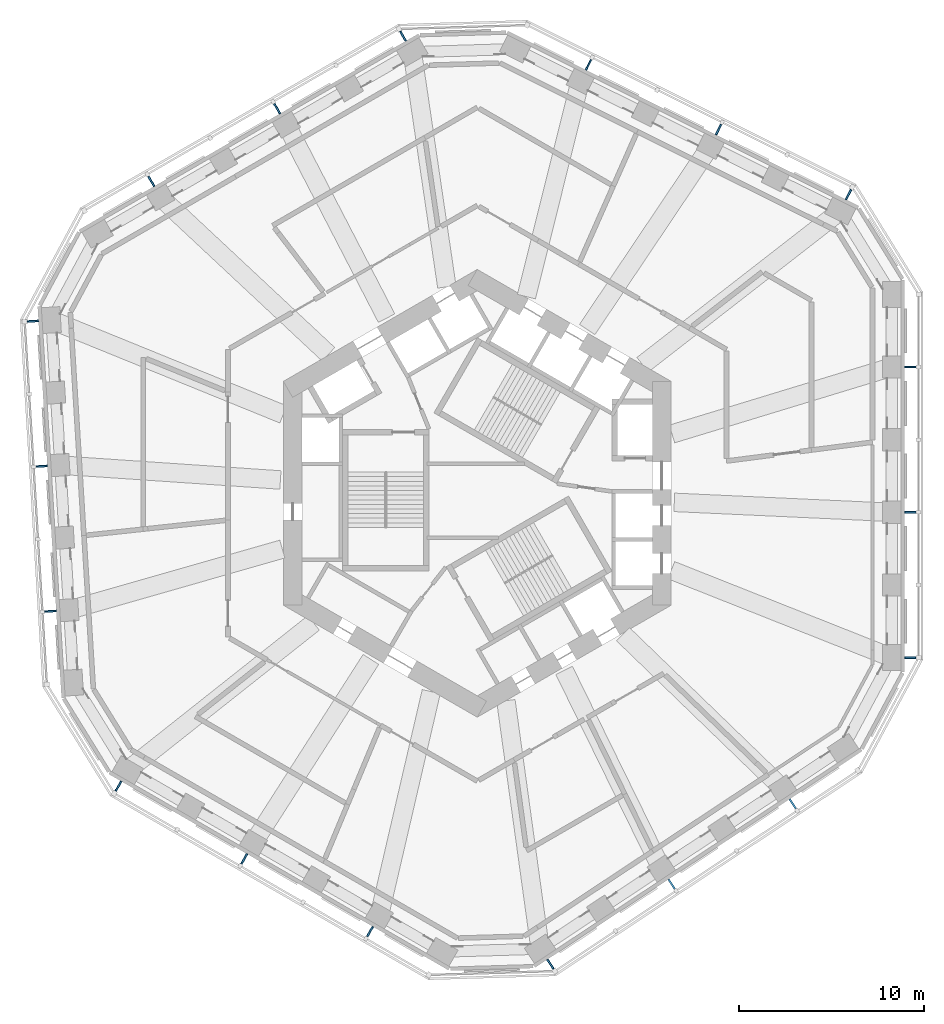
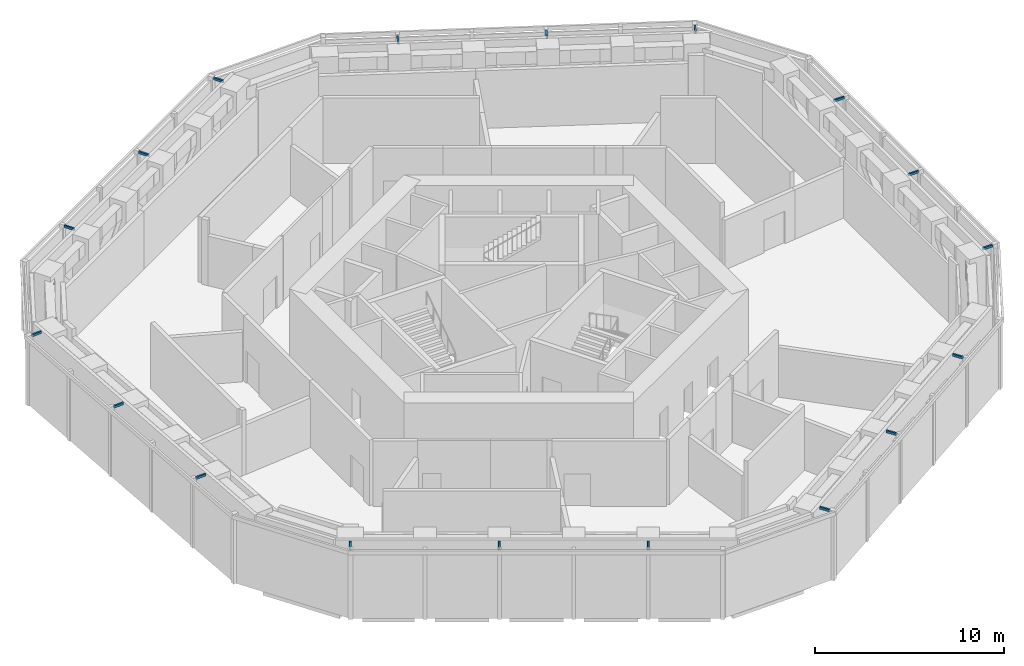
# One storey, part 14 of 15: 18 discrete accessories.
"""IFC4 building model written with IfcOpenShell, lengths in metres."""

from ifc_helpers import new_model, si_unit, direction, frame, origin, origin_2d, place, context, subcontext, project, spatial, rectangle, extrude, material, type_object, element, save


model = new_model("IFC4")

# Units and contexts
model_context = context("Model", 3, precision=1e-05, world=origin(), true_north=direction((0.0, 1.0)))
body_context = subcontext(model_context, "Body", "Model", "MODEL_VIEW")
ifc_project = project(units=[si_unit("LENGTHUNIT", "METRE"), si_unit("AREAUNIT", "SQUARE_METRE"), si_unit("VOLUMEUNIT", "CUBIC_METRE"), si_unit("PLANEANGLEUNIT", "RADIAN"), si_unit("MASSUNIT", "GRAM", prefix="KILO")], contexts=[model_context])

# Site, building, storey
site_placement = place(None, origin())
site = spatial("IfcSite", under=ifc_project, at=site_placement, CompositionType="ELEMENT")
building_placement = place(site_placement, origin())
building = spatial("IfcBuilding", under=site, at=building_placement, Name="Vanh Sen Convention Tower", CompositionType="ELEMENT")
storey_placement = place(building_placement, frame((0.0, 0.0, 119.89990234375)))
storey = spatial("IfcBuildingStorey", under=building, at=storey_placement, Name="L29", CompositionType="ELEMENT", Elevation=119.89990234375)

# Discrete accessories
ifc_material = material(Name="Steel S355", Category="steel")
discrete_accessory_type = type_object("IfcDiscreteAccessoryType", Name="Fin bracket 100 x 150", PredefinedType="BRACKET", material=ifc_material)
discrete_accessory_1_placement = place(storey_placement, frame((23.449951171875, -8.899169921875, 4.300048828125), z_axis=(0.0, 0.0, 1.0), x_axis=(1.0, 0.0, 0.0)))
element("IfcDiscreteAccessory", 1, at=discrete_accessory_1_placement, inside=storey, type_object=discrete_accessory_type, Name="Fin bracket E-1 L29", PredefinedType="BRACKET", context=body_context, shape_type="SweptSolid", body=[
    extrude(rectangle(XDim=0.60009765625, YDim=0.10009765625, at=origin_2d()), origin(), (0.0, 0.0, 1.0), 0.14990234375),
])
for number, where, z_axis, x_axis, name in (
    (2, (23.46240234375, -1.030029296875, 4.300048828125), (0.0, 0.0, 1.0), (1.0, 0.0, 0.0), "Fin bracket E-3 L29"),
    (3, (23.46240234375, 6.839111328125, 4.300048828125), (0.0, 0.0, 1.0), (1.0, 0.0, 0.0), "Fin bracket E-5 L29"),
):
    element("IfcDiscreteAccessory", number, at=place(storey_placement, frame(where, z_axis=z_axis, x_axis=x_axis)), inside=storey, type_object=discrete_accessory_type, Name=name, PredefinedType="BRACKET", context=body_context, shape_type="SweptSolid", body=[
        extrude(rectangle(XDim=0.625, YDim=0.10009765625, at=origin_2d()), origin(), (0.0, 0.0, 1.0), 0.14990234375),
    ])
discrete_accessory_2_placement = place(storey_placement, frame((20.10498046875, 16.178955078125, 4.300048828125), z_axis=(0.0, 0.0, 1.0), x_axis=(0.44619781311, 0.894934361602, 0.0)))
element("IfcDiscreteAccessory", 4, at=discrete_accessory_2_placement, inside=storey, type_object=discrete_accessory_type, Name="Fin bracket NE-1 L29", PredefinedType="BRACKET", context=body_context, shape_type="SweptSolid", body=[
    extrude(rectangle(XDim=0.60009765625, YDim=0.10009765625, at=origin_2d()), origin(), (0.0, 0.0, 1.0), 0.14990234375),
])
for number, where, z_axis, x_axis, name in (
    (5, (13.068359375, 19.701416015625, 4.300048828125), (0.0, 0.0, 1.0), (0.44619781311, 0.894934361602, 0.0), "Fin bracket NE-3 L29"),
    (6, (6.02587890625, 23.212646484375, 4.300048828125), (0.0, 0.0, 1.0), (0.44619781311, 0.894934361602, 0.0), "Fin bracket NE-5 L29"),
):
    element("IfcDiscreteAccessory", number, at=place(storey_placement, frame(where, z_axis=z_axis, x_axis=x_axis)), inside=storey, type_object=discrete_accessory_type, Name=name, PredefinedType="BRACKET", context=body_context, shape_type="SweptSolid", body=[
        extrude(rectangle(XDim=0.625, YDim=0.10009765625, at=origin_2d()), origin(), (0.0, 0.0, 1.0), 0.14990234375),
    ])
discrete_accessory_3_placement = place(storey_placement, frame((-4.01806640625, 24.7578125, 4.300048828125), z_axis=(0.0, 0.0, 1.0), x_axis=(-0.5, 0.866025403784, 0.0)))
element("IfcDiscreteAccessory", 7, at=discrete_accessory_3_placement, inside=storey, type_object=discrete_accessory_type, Name="Fin bracket NW-1 L29", PredefinedType="BRACKET", context=body_context, shape_type="SweptSolid", body=[
    extrude(rectangle(XDim=0.60009765625, YDim=0.10009765625, at=origin_2d()), origin(), (0.0, 0.0, 1.0), 0.14990234375),
])
for number, where, z_axis, x_axis, name in (
    (8, (-10.839111328125, 20.834228515625, 4.300048828125), (0.0, 0.0, 1.0), (-0.5, 0.866025403784, 0.0), "Fin bracket NW-3 L29"),
    (9, (-17.654296875, 16.899658203125, 4.300048828125), (0.0, 0.0, 1.0), (-0.5, 0.866025403784, 0.0), "Fin bracket NW-5 L29"),
):
    element("IfcDiscreteAccessory", number, at=place(storey_placement, frame(where, z_axis=z_axis, x_axis=x_axis)), inside=storey, type_object=discrete_accessory_type, Name=name, PredefinedType="BRACKET", context=body_context, shape_type="SweptSolid", body=[
        extrude(rectangle(XDim=0.625, YDim=0.10009765625, at=origin_2d()), origin(), (0.0, 0.0, 1.0), 0.14990234375),
    ])
discrete_accessory_4_placement = place(storey_placement, frame((-24.06396484375, 9.322021484375, 4.300048828125), z_axis=(0.0, 0.0, 1.0), x_axis=(-0.998134798422, -0.061048539535, 0.0)))
element("IfcDiscreteAccessory", 10, at=discrete_accessory_4_placement, inside=storey, type_object=discrete_accessory_type, Name="Fin bracket W-1 L29", PredefinedType="BRACKET", context=body_context, shape_type="SweptSolid", body=[
    extrude(rectangle(XDim=0.60009765625, YDim=0.10009765625, at=origin_2d()), origin(), (0.0, 0.0, 1.0), 0.14990234375),
])
for number, where, z_axis, x_axis, name in (
    (11, (-23.595947265625, 1.466796875, 4.300048828125), (0.0, 0.0, 1.0), (-0.998134798422, -0.061048539535, 0.0), "Fin bracket W-3 L29"),
    (12, (-23.115478515625, -6.3876953125, 4.300048828125), (0.0, 0.0, 1.0), (-0.998134798422, -0.061048539535, 0.0), "Fin bracket W-5 L29"),
):
    element("IfcDiscreteAccessory", number, at=place(storey_placement, frame(where, z_axis=z_axis, x_axis=x_axis)), inside=storey, type_object=discrete_accessory_type, Name=name, PredefinedType="BRACKET", context=body_context, shape_type="SweptSolid", body=[
        extrude(rectangle(XDim=0.625, YDim=0.10009765625, at=origin_2d()), origin(), (0.0, 0.0, 1.0), 0.14990234375),
    ])
discrete_accessory_5_placement = place(storey_placement, frame((-19.431884765625, -15.858642578125, 4.300048828125), z_axis=(0.0, 0.0, 1.0), x_axis=(-0.5, -0.866025403784, 0.0)))
element("IfcDiscreteAccessory", 13, at=discrete_accessory_5_placement, inside=storey, type_object=discrete_accessory_type, Name="Fin bracket SW-1 L29", PredefinedType="BRACKET", context=body_context, shape_type="SweptSolid", body=[
    extrude(rectangle(XDim=0.60009765625, YDim=0.10009765625, at=origin_2d()), origin(), (0.0, 0.0, 1.0), 0.14990234375),
])
for number, where, z_axis, x_axis, name in (
    (14, (-12.623291015625, -19.80419921875, 4.300048828125), (0.0, 0.0, 1.0), (-0.5, -0.866025403784, 0.0), "Fin bracket SW-3 L29"),
    (15, (-5.808349609375, -23.73876953125, 4.300048828125), (0.0, 0.0, 1.0), (-0.5, -0.866025403784, 0.0), "Fin bracket SW-5 L29"),
):
    element("IfcDiscreteAccessory", number, at=place(storey_placement, frame(where, z_axis=z_axis, x_axis=x_axis)), inside=storey, type_object=discrete_accessory_type, Name=name, PredefinedType="BRACKET", context=body_context, shape_type="SweptSolid", body=[
        extrude(rectangle(XDim=0.625, YDim=0.10009765625, at=origin_2d()), origin(), (0.0, 0.0, 1.0), 0.14990234375),
    ])
discrete_accessory_6_placement = place(storey_placement, frame((3.958740234375, -25.5009765625, 4.300048828125), z_axis=(0.0, 0.0, 1.0), x_axis=(0.551936985312, -0.833885822067, 0.0)))
element("IfcDiscreteAccessory", 16, at=discrete_accessory_6_placement, inside=storey, type_object=discrete_accessory_type, Name="Fin bracket SE-1 L29", PredefinedType="BRACKET", context=body_context, shape_type="SweptSolid", body=[
    extrude(rectangle(XDim=0.60009765625, YDim=0.10009765625, at=origin_2d()), origin(), (0.0, 0.0, 1.0), 0.14990234375),
])
for number, where, z_axis, x_axis, name in (
    (17, (10.527587890625, -21.168212890625, 4.300048828125), (0.0, 0.0, 1.0), (0.551936985312, -0.833885822067, 0.0), "Fin bracket SE-3 L29"),
    (18, (17.089599609375, -16.824951171875, 4.300048828125), (0.0, 0.0, 1.0), (0.551936985312, -0.833885822067, 0.0), "Fin bracket SE-5 L29"),
):
    element("IfcDiscreteAccessory", number, at=place(storey_placement, frame(where, z_axis=z_axis, x_axis=x_axis)), inside=storey, type_object=discrete_accessory_type, Name=name, PredefinedType="BRACKET", context=body_context, shape_type="SweptSolid", body=[
        extrude(rectangle(XDim=0.625, YDim=0.10009765625, at=origin_2d()), origin(), (0.0, 0.0, 1.0), 0.14990234375),
    ])

save(model, "model.ifc")
